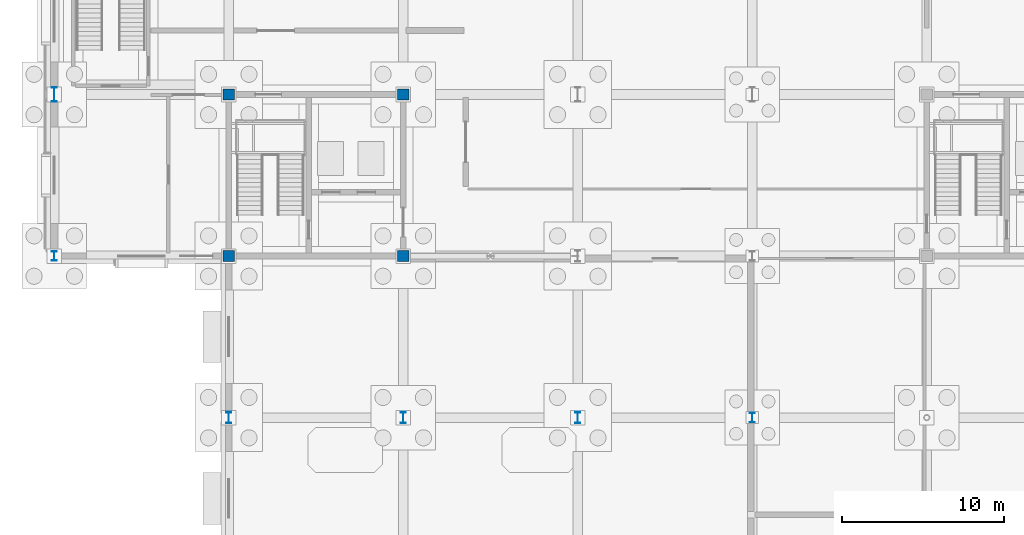
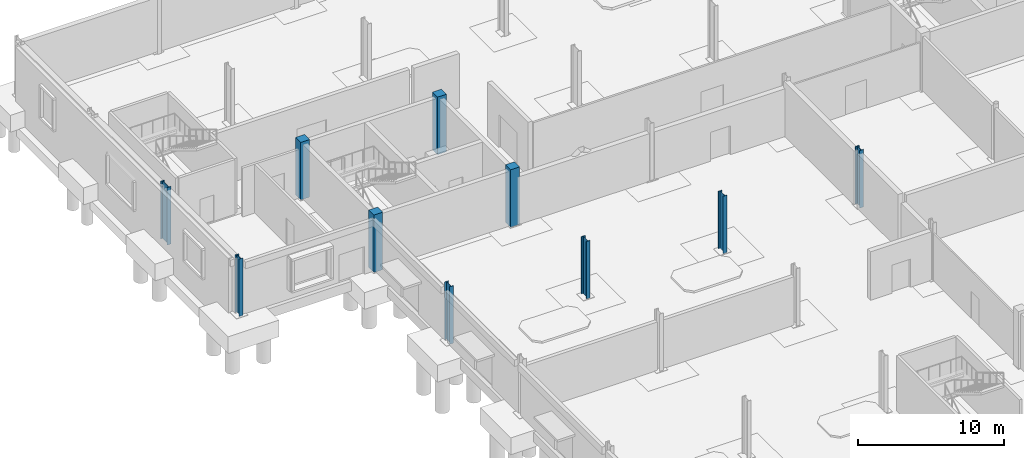
# One storey, part 15 of 73: 10 columns.
"""IFC4 building model written with IfcOpenShell, lengths in metres."""

from ifc_helpers import new_model, si_unit, direction, frame, origin, origin_2d, place, context, subcontext, project, spatial, rectangle, i_section, extrude, material, material_profile, profile_set, type_object, element, save


model = new_model("IFC4")

# Units and contexts
model_context = context("Model", 3, precision=1e-05, world=origin(), true_north=direction((0.0, 1.0)))
body_context = subcontext(model_context, "Body", "Model", "MODEL_VIEW")
ifc_project = project(units=[si_unit("LENGTHUNIT", "METRE"), si_unit("AREAUNIT", "SQUARE_METRE"), si_unit("VOLUMEUNIT", "CUBIC_METRE"), si_unit("PLANEANGLEUNIT", "RADIAN"), si_unit("MASSUNIT", "GRAM", prefix="KILO")], contexts=[model_context])

# Site, building, storey
site_placement = place(None, origin())
site = spatial("IfcSite", under=ifc_project, at=site_placement, CompositionType="ELEMENT")
building_placement = place(site_placement, origin())
building = spatial("IfcBuilding", under=site, at=building_placement, Name="Tasgan Crest Museum", CompositionType="ELEMENT")
storey_placement = place(building_placement, origin())
storey = spatial("IfcBuildingStorey", under=building, at=storey_placement, Name="L00", CompositionType="ELEMENT", Elevation=0.0)

# Columns
ifc_material_1 = material(Name="Steel S355K2", Category="steel")
ifc_material_profile_1 = material_profile(ifc_material_1, i_section(OverallWidth=0.300048828125, OverallDepth=0.60009765625, WebThickness=0.015380859375, FlangeThickness=0.030029296875, FilletRadius=0.027099609375, at=origin_2d()), Name="HEB 600")
ifc_profile_set_1 = profile_set([ifc_material_profile_1], Name="Steel S355K2")
column_type_1 = type_object("IfcColumnType", Name="COL-HEB600", PredefinedType="COLUMN", material=ifc_profile_set_1)
for number, where, z_axis, x_axis, name in (
    (1, (0.0, 82.0, 0.0), (0.0, 0.0, 1.0), (1.0, 0.0, 0.0), "Column 1/J L00"),
    (2, (43.199951171875, 72.0, 0.0), (0.0, 0.0, 1.0), (1.0, 0.0, 0.0), "Column 5/H L00"),
):
    element("IfcColumn", number, at=place(storey_placement, frame(where, z_axis=z_axis, x_axis=x_axis)), inside=storey, type_object=column_type_1, Name=name, PredefinedType="COLUMN", context=body_context, shape_type="SweptSolid", body=[
        extrude(i_section(OverallWidth=0.300048828125, OverallDepth=0.60009765625, WebThickness=0.015380859375, FlangeThickness=0.030029296875, FilletRadius=0.027099609375, at=origin_2d()), origin(), (0.0, 0.0, 1.0), 4.800048828125),
    ])
ifc_material_2 = material(Name="Steel S355K2", Category="steel")
ifc_material_profile_2 = material_profile(ifc_material_2, i_section(OverallWidth=0.300048828125, OverallDepth=0.699951171875, WebThickness=0.01708984375, FlangeThickness=0.031982421875, FilletRadius=0.027099609375, at=origin_2d()), Name="HEB 700")
ifc_profile_set_2 = profile_set([ifc_material_profile_2], Name="Steel S355K2")
column_type_2 = type_object("IfcColumnType", Name="COL-HEB700", PredefinedType="COLUMN", material=ifc_profile_set_2)
for number, where, z_axis, x_axis, name in (
    (3, (10.800048828125, 72.0, 0.0), (0.0, 0.0, 1.0), (1.0, 0.0, 0.0), "Column 2/H L00"),
    (4, (21.60009765625, 72.0, 0.0), (0.0, 0.0, 1.0), (1.0, 0.0, 0.0), "Column 3/H L00"),
    (5, (32.39990234375, 72.0, 0.0), (0.0, 0.0, 1.0), (1.0, 0.0, 0.0), "Column 4/H L00"),
):
    element("IfcColumn", number, at=place(storey_placement, frame(where, z_axis=z_axis, x_axis=x_axis)), inside=storey, type_object=column_type_2, Name=name, PredefinedType="COLUMN", context=body_context, shape_type="SweptSolid", body=[
        extrude(i_section(OverallWidth=0.300048828125, OverallDepth=0.699951171875, WebThickness=0.01708984375, FlangeThickness=0.031982421875, FilletRadius=0.027099609375, at=origin_2d()), origin(), (0.0, 0.0, 1.0), 4.800048828125),
    ])
ifc_material_3 = material(Name="Steel S355K2", Category="steel")
ifc_material_profile_3 = material_profile(ifc_material_3, i_section(OverallWidth=0.300048828125, OverallDepth=0.89990234375, WebThickness=0.0185546875, FlangeThickness=0.034912109375, FilletRadius=0.030029296875, at=origin_2d()), Name="HEB 900")
ifc_profile_set_3 = profile_set([ifc_material_profile_3], Name="Steel S355K2")
column_type_3 = type_object("IfcColumnType", Name="COL-HEB900", PredefinedType="COLUMN", material=ifc_profile_set_3)
column_placement = place(storey_placement, frame((0.0, 92.0, 0.0), z_axis=(0.0, 0.0, 1.0), x_axis=(1.0, 0.0, 0.0)))
element("IfcColumn", 6, at=column_placement, inside=storey, type_object=column_type_3, Name="Column 1/K L00", PredefinedType="COLUMN", context=body_context, shape_type="SweptSolid", body=[
    extrude(i_section(OverallWidth=0.300048828125, OverallDepth=0.89990234375, WebThickness=0.0185546875, FlangeThickness=0.034912109375, FilletRadius=0.030029296875, at=origin_2d()), origin(), (0.0, 0.0, 1.0), 4.800048828125),
])
ifc_material_4 = material(Name="Concrete C40/50", Category="concrete")
ifc_material_profile_4 = material_profile(ifc_material_4, rectangle(XDim=0.699951171875, YDim=0.699951171875, at=origin_2d()), Name="RC 700x700")
ifc_profile_set_4 = profile_set([ifc_material_profile_4], Name="Concrete C40/50")
column_type_4 = type_object("IfcColumnType", Name="COL-RC700", PredefinedType="COLUMN", material=ifc_profile_set_4)
for number, where, z_axis, x_axis, name in (
    (7, (10.800048828125, 82.0, 0.0), (0.0, 0.0, 1.0), (1.0, 0.0, 0.0), "Column 2/J L00"),
    (8, (10.800048828125, 92.0, 0.0), (0.0, 0.0, 1.0), (1.0, 0.0, 0.0), "Column 2/K L00"),
    (9, (21.60009765625, 82.0, 0.0), (0.0, 0.0, 1.0), (1.0, 0.0, 0.0), "Column 3/J L00"),
    (10, (21.60009765625, 92.0, 0.0), (0.0, 0.0, 1.0), (1.0, 0.0, 0.0), "Column 3/K L00"),
):
    element("IfcColumn", number, at=place(storey_placement, frame(where, z_axis=z_axis, x_axis=x_axis)), inside=storey, type_object=column_type_4, Name=name, PredefinedType="COLUMN", context=body_context, shape_type="SweptSolid", body=[
        extrude(rectangle(XDim=0.699951171875, YDim=0.699951171875, at=origin_2d()), origin(), (0.0, 0.0, 1.0), 4.800048828125),
    ])

save(model, "model.ifc")
